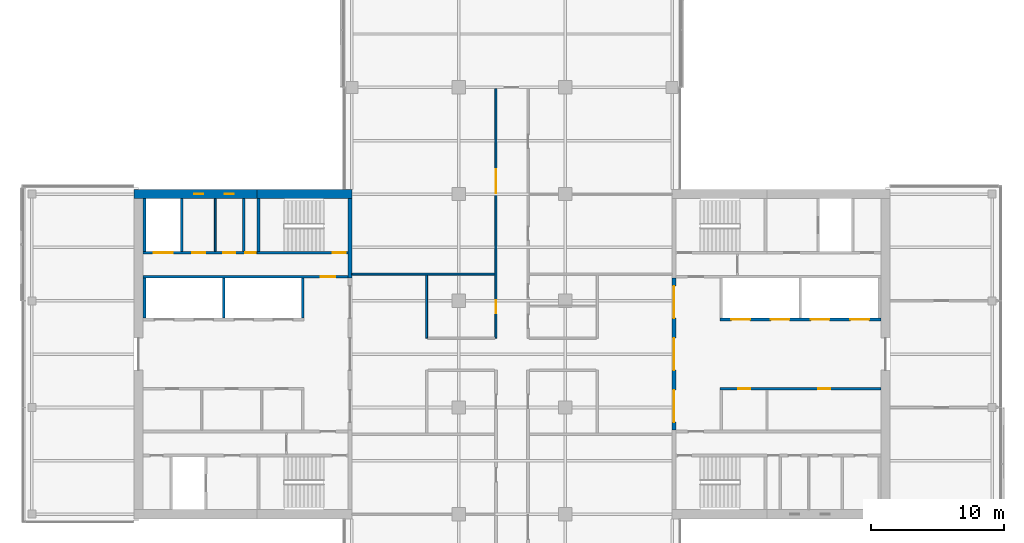
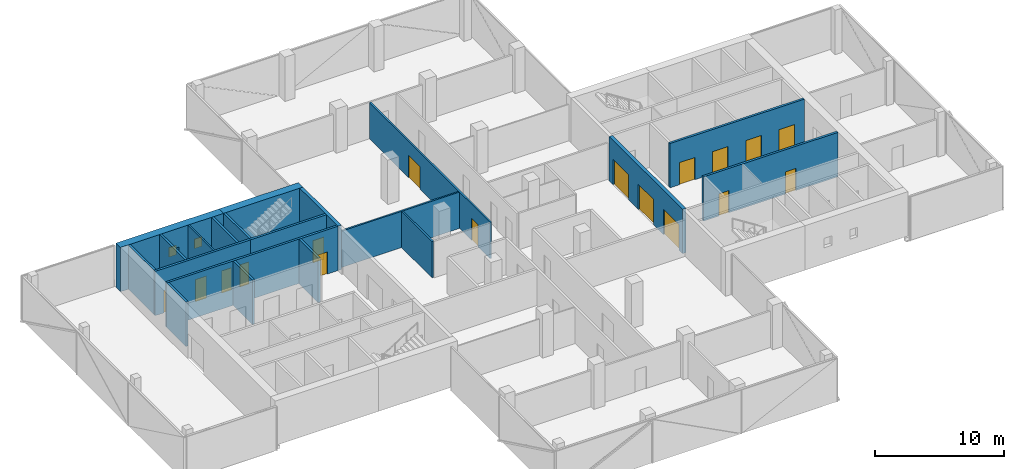
# One storey, part 15 of 22: 20 walls, 17 doors, 2 windows, 19 openings.
"""IFC4 building model written with IfcOpenShell, lengths in metres."""

from ifc_helpers import new_model, si_unit, direction, frame, frame_2d, origin, place, context, subcontext, project, spatial, rectangle, extrude, material, layer, layer_set, constituent, constituent_set, type_object, element, fill, save


model = new_model("IFC4")

# Units and contexts
model_context = context("Model", 3, precision=1e-05, world=origin(), true_north=direction((0.0, 1.0)))
body_context = subcontext(model_context, "Body", "Model", "MODEL_VIEW")
ifc_project = project(units=[si_unit("LENGTHUNIT", "METRE"), si_unit("AREAUNIT", "SQUARE_METRE"), si_unit("VOLUMEUNIT", "CUBIC_METRE"), si_unit("PLANEANGLEUNIT", "RADIAN"), si_unit("MASSUNIT", "GRAM", prefix="KILO")], contexts=[model_context])

# Site, building, storey
site_placement = place(None, origin())
site = spatial("IfcSite", under=ifc_project, at=site_placement, CompositionType="ELEMENT")
building_placement = place(site_placement, origin())
building = spatial("IfcBuilding", under=site, at=building_placement, Name="Crosswind Convention Tower", CompositionType="ELEMENT")
storey_placement = place(building_placement, frame((0.0, 0.0, 142.10009765625)))
storey = spatial("IfcBuildingStorey", under=building, at=storey_placement, Name="L29", CompositionType="ELEMENT", Elevation=142.10009765625)

# Wall
ifc_material_1 = material(Name="Concrete blockwork", Category="masonry")
ifc_layer_1 = layer(ifc_material_1, 0.199951171875)
ifc_layer_set_1 = layer_set([ifc_layer_1], Name="Blockwork partition wall 200")
wall_type_1 = type_object("IfcWallType", Name="Blockwork partition wall 200", PredefinedType="PARTITIONING", material=ifc_layer_set_1)
wall_1_placement = place(storey_placement, frame((104.89990234375, 111.64990234375, 0.0), z_axis=(0.0, 0.0, 1.0), x_axis=(0.0, -1.0, 0.0)))
element("IfcWall", 1, at=wall_1_placement, inside=storey, type_object=wall_type_1, Name="Wall MRSE W L29", PredefinedType="PARTITIONING", context=body_context, shape_type="SweptSolid", body=[
    extrude(rectangle(XDim=3.949951171875, YDim=0.199951171875, at=frame_2d((1.97509765625, 0.0))), origin(), (0.0, 0.0, 1.0), 4.199951171875),
])

# Wall, openings, doors
ifc_material_2 = material(Name="Concrete C50/60", Category="concrete")
ifc_layer_2 = layer(ifc_material_2, 0.300048828125)
ifc_layer_set_2 = layer_set([ifc_layer_2], Name="Concrete C50/60")
wall_type_2 = type_object("IfcWallType", Name="Concrete inner core wall 300", PredefinedType="SHEAR", material=ifc_layer_set_2)
wall_2_placement = place(storey_placement, frame((137.14990234375, 94.300048828125, 0.0), z_axis=(0.0, 0.0, 1.0), x_axis=(0.0, 1.0, 0.0)))
wall_2 = element("IfcWall", 2, at=wall_2_placement, inside=storey, type_object=wall_type_2, Name="Wall SCR E L29", PredefinedType="SHEAR", context=body_context, shape_type="SweptSolid", body=[
    extrude(rectangle(XDim=11.39990234375, YDim=0.300048828125, at=frame_2d((5.699951171875, 0.0))), origin(), (0.0, 0.0, 1.0), 4.199951171875),
])
opening_1_placement = place(wall_2_placement, frame((0.60009765625, 0.0, 0.0)))
opening_1 = element("IfcOpeningElement", 3, at=opening_1_placement, cuts=wall_2, Name="Opening D100", PredefinedType="OPENING", context=body_context, shape_type="SweptSolid", body=[
    extrude(rectangle(XDim=2.39990234375, YDim=2.39990234375, at=frame_2d((1.199951171875, 1.199951171875))), frame((0.0, 0.159912109375, 0.0), z_axis=(0.0, -1.0, 0.0), x_axis=(1.0, 0.0, 0.0)), (0.0, 0.0, 1.0), 0.320068359375),
])
opening_2_placement = place(wall_2_placement, frame((4.5, 0.0, 0.0)))
opening_2 = element("IfcOpeningElement", 4, at=opening_2_placement, cuts=wall_2, Name="Opening D100", PredefinedType="OPENING", context=body_context, shape_type="SweptSolid", body=[
    extrude(rectangle(XDim=2.39990234375, YDim=2.39990234375, at=frame_2d((1.199951171875, 1.199951171875))), frame((0.0, 0.159912109375, 0.0), z_axis=(0.0, -1.0, 0.0), x_axis=(1.0, 0.0, 0.0)), (0.0, 0.0, 1.0), 0.320068359375),
])
opening_3_placement = place(wall_2_placement, frame((8.39990234375, 0.0, 0.0)))
opening_3 = element("IfcOpeningElement", 5, at=opening_3_placement, cuts=wall_2, Name="Opening D100", PredefinedType="OPENING", context=body_context, shape_type="SweptSolid", body=[
    extrude(rectangle(XDim=2.39990234375, YDim=2.39990234375, at=frame_2d((1.199951171875, 1.199951171875))), frame((0.0, 0.159912109375, 0.0), z_axis=(0.0, -1.0, 0.0), x_axis=(1.0, 0.0, 0.0)), (0.0, 0.0, 1.0), 0.320068359375),
])
ifc_material_3 = material(Name="Steel fire door with glazed vision panels", Category="steel")
door_type_1 = type_object("IfcDoorType", Name="Fire-rated double door 2400x2400", OperationType="DOUBLE_DOOR_SINGLE_SWING", PredefinedType="DOOR", material=ifc_material_3)
door_1_placement = place(opening_1_placement, origin())
door_1 = element("IfcDoor", 6, at=door_1_placement, inside=storey, type_object=door_type_1, Name="Lobby door 1 L29", ObjectType="D100", OperationType="DOUBLE_DOOR_SINGLE_SWING", OverallHeight=2.39990234375, OverallWidth=2.39990234375, PredefinedType="DOOR", context=body_context, shape_type="SweptSolid", body=[
    extrude(rectangle(XDim=2.39990234375, YDim=2.39990234375, at=frame_2d((1.199951171875, 1.199951171875))), frame((0.0, 0.02490234375, 0.0), z_axis=(0.0, -1.0, 0.0), x_axis=(1.0, 0.0, 0.0)), (0.0, 0.0, 1.0), 0.050048828125),
])
fill(opening_1, door_1)
door_2_placement = place(opening_2_placement, origin())
door_2 = element("IfcDoor", 7, at=door_2_placement, inside=storey, type_object=door_type_1, Name="Lobby door 2 L29", ObjectType="D100", OperationType="DOUBLE_DOOR_SINGLE_SWING", OverallHeight=2.39990234375, OverallWidth=2.39990234375, PredefinedType="DOOR", context=body_context, shape_type="SweptSolid", body=[
    extrude(rectangle(XDim=2.39990234375, YDim=2.39990234375, at=frame_2d((1.199951171875, 1.199951171875))), frame((0.0, 0.02490234375, 0.0), z_axis=(0.0, -1.0, 0.0), x_axis=(1.0, 0.0, 0.0)), (0.0, 0.0, 1.0), 0.050048828125),
])
fill(opening_2, door_2)
door_3_placement = place(opening_3_placement, origin())
door_3 = element("IfcDoor", 8, at=door_3_placement, inside=storey, type_object=door_type_1, Name="Lobby door 3 L29", ObjectType="D100", OperationType="DOUBLE_DOOR_SINGLE_SWING", OverallHeight=2.39990234375, OverallWidth=2.39990234375, PredefinedType="DOOR", context=body_context, shape_type="SweptSolid", body=[
    extrude(rectangle(XDim=2.39990234375, YDim=2.39990234375, at=frame_2d((1.199951171875, 1.199951171875))), frame((0.0, 0.02490234375, 0.0), z_axis=(0.0, -1.0, 0.0), x_axis=(1.0, 0.0, 0.0)), (0.0, 0.0, 1.0), 0.050048828125),
])
fill(opening_3, door_3)

# Wall
wall_3_placement = place(storey_placement, frame((112.85009765625, 111.64990234375, 0.0), z_axis=(0.0, 0.0, 1.0), x_axis=(0.0, -1.0, 0.0)))
element("IfcWall", 9, at=wall_3_placement, inside=storey, type_object=wall_type_2, Name="Wall EM W L29", PredefinedType="SHEAR", context=body_context, shape_type="SweptSolid", body=[
    extrude(rectangle(XDim=5.949951171875, YDim=0.300048828125, at=frame_2d((2.97509765625, 0.0))), origin(), (0.0, 0.0, 1.0), 4.199951171875),
])

# Wall, openings, doors
ifc_layer_3 = layer(ifc_material_2, 0.199951171875)
ifc_layer_set_3 = layer_set([ifc_layer_3], Name="Concrete C50/60")
wall_type_3 = type_object("IfcWallType", Name="Concrete shaft and stair wall 200", PredefinedType="SHEAR", material=ifc_layer_set_3)
wall_4_placement = place(storey_placement, frame((140.60009765625, 102.60009765625, 0.0), z_axis=(0.0, 0.0, 1.0), x_axis=(1.0, 0.0, 0.0)))
wall_4 = element("IfcWall", 10, at=wall_4_placement, inside=storey, type_object=wall_type_3, Name="Wall RPFRONT E L29", PredefinedType="SHEAR", context=body_context, shape_type="SweptSolid", body=[
    extrude(rectangle(XDim=12.0498046875, YDim=0.199951171875, at=frame_2d((6.02490234375, 0.0))), origin(), (0.0, 0.0, 1.0), 4.199951171875),
])
opening_4_placement = place(wall_4_placement, frame((0.85009765625, 0.0, 0.0)))
opening_4 = element("IfcOpeningElement", 11, at=opening_4_placement, cuts=wall_4, Name="Opening LD2", PredefinedType="OPENING", context=body_context, shape_type="SweptSolid", body=[
    extrude(rectangle(XDim=1.39990234375, YDim=2.10009765625, at=frame_2d((0.699951171875, 1.050048828125))), frame((0.0, 0.10986328125, 0.0), z_axis=(0.0, -1.0, 0.0), x_axis=(1.0, 0.0, 0.0)), (0.0, 0.0, 1.0), 0.219970703125),
])
opening_5_placement = place(wall_4_placement, frame((3.800048828125, 0.0, 0.0)))
opening_5 = element("IfcOpeningElement", 12, at=opening_5_placement, cuts=wall_4, Name="Opening LD2", PredefinedType="OPENING", context=body_context, shape_type="SweptSolid", body=[
    extrude(rectangle(XDim=1.39990234375, YDim=2.10009765625, at=frame_2d((0.699951171875, 1.050048828125))), frame((0.0, 0.10986328125, 0.0), z_axis=(0.0, -1.0, 0.0), x_axis=(1.0, 0.0, 0.0)), (0.0, 0.0, 1.0), 0.219970703125),
])
opening_6_placement = place(wall_4_placement, frame((6.800048828125, 0.0, 0.0)))
opening_6 = element("IfcOpeningElement", 13, at=opening_6_placement, cuts=wall_4, Name="Opening LD2", PredefinedType="OPENING", context=body_context, shape_type="SweptSolid", body=[
    extrude(rectangle(XDim=1.39990234375, YDim=2.10009765625, at=frame_2d((0.699951171875, 1.050048828125))), frame((0.0, 0.10986328125, 0.0), z_axis=(0.0, -1.0, 0.0), x_axis=(1.0, 0.0, 0.0)), (0.0, 0.0, 1.0), 0.219970703125),
])
opening_7_placement = place(wall_4_placement, frame((9.77490234375, 0.0, 0.0)))
opening_7 = element("IfcOpeningElement", 14, at=opening_7_placement, cuts=wall_4, Name="Opening LD2", PredefinedType="OPENING", context=body_context, shape_type="SweptSolid", body=[
    extrude(rectangle(XDim=1.39990234375, YDim=2.10009765625, at=frame_2d((0.699951171875, 1.050048828125))), frame((0.0, 0.10986328125, 0.0), z_axis=(0.0, -1.0, 0.0), x_axis=(1.0, 0.0, 0.0)), (0.0, 0.0, 1.0), 0.219970703125),
])
ifc_material_4 = material(Name="Stainless steel", Category="steel")
door_type_2 = type_object("IfcDoorType", Name="Lift landing door 1400x2100", OperationType="DOUBLE_DOOR_SLIDING", PredefinedType="DOOR", material=ifc_material_4)
door_4_placement = place(opening_4_placement, origin())
door_4 = element("IfcDoor", 15, at=door_4_placement, inside=storey, type_object=door_type_2, Name="Landing door A1 L29", ObjectType="LD2", OperationType="DOUBLE_DOOR_SLIDING", OverallHeight=2.10009765625, OverallWidth=1.39990234375, PredefinedType="DOOR", context=body_context, shape_type="SweptSolid", body=[
    extrude(rectangle(XDim=1.39990234375, YDim=2.10009765625, at=frame_2d((0.699951171875, 1.050048828125))), frame((0.0, 0.02490234375, 0.0), z_axis=(0.0, -1.0, 0.0), x_axis=(1.0, 0.0, 0.0)), (0.0, 0.0, 1.0), 0.050048828125),
])
fill(opening_4, door_4)
door_5_placement = place(opening_5_placement, origin())
door_5 = element("IfcDoor", 16, at=door_5_placement, inside=storey, type_object=door_type_2, Name="Landing door A2 L29", ObjectType="LD2", OperationType="DOUBLE_DOOR_SLIDING", OverallHeight=2.10009765625, OverallWidth=1.39990234375, PredefinedType="DOOR", context=body_context, shape_type="SweptSolid", body=[
    extrude(rectangle(XDim=1.39990234375, YDim=2.10009765625, at=frame_2d((0.699951171875, 1.050048828125))), frame((0.0, 0.02490234375, 0.0), z_axis=(0.0, -1.0, 0.0), x_axis=(1.0, 0.0, 0.0)), (0.0, 0.0, 1.0), 0.050048828125),
])
fill(opening_5, door_5)
door_6_placement = place(opening_6_placement, origin())
door_6 = element("IfcDoor", 17, at=door_6_placement, inside=storey, type_object=door_type_2, Name="Landing door A3 L29", ObjectType="LD2", OperationType="DOUBLE_DOOR_SLIDING", OverallHeight=2.10009765625, OverallWidth=1.39990234375, PredefinedType="DOOR", context=body_context, shape_type="SweptSolid", body=[
    extrude(rectangle(XDim=1.39990234375, YDim=2.10009765625, at=frame_2d((0.699951171875, 1.050048828125))), frame((0.0, 0.02490234375, 0.0), z_axis=(0.0, -1.0, 0.0), x_axis=(1.0, 0.0, 0.0)), (0.0, 0.0, 1.0), 0.050048828125),
])
fill(opening_6, door_6)
door_7_placement = place(opening_7_placement, origin())
door_7 = element("IfcDoor", 18, at=door_7_placement, inside=storey, type_object=door_type_2, Name="Landing door A4 L29", ObjectType="LD2", OperationType="DOUBLE_DOOR_SLIDING", OverallHeight=2.10009765625, OverallWidth=1.39990234375, PredefinedType="DOOR", context=body_context, shape_type="SweptSolid", body=[
    extrude(rectangle(XDim=1.39990234375, YDim=2.10009765625, at=frame_2d((0.699951171875, 1.050048828125))), frame((0.0, 0.02490234375, 0.0), z_axis=(0.0, -1.0, 0.0), x_axis=(1.0, 0.0, 0.0)), (0.0, 0.0, 1.0), 0.050048828125),
])
fill(opening_7, door_7)

wall_5_placement = place(storey_placement, frame((140.60009765625, 97.39990234375, 0.0), z_axis=(0.0, 0.0, 1.0), x_axis=(1.0, 0.0, 0.0)))
wall_5 = element("IfcWall", 19, at=wall_5_placement, inside=storey, type_object=wall_type_3, Name="Wall RMFRONT E L29", PredefinedType="SHEAR", context=body_context, shape_type="SweptSolid", body=[
    extrude(rectangle(XDim=12.0498046875, YDim=0.199951171875, at=frame_2d((6.02490234375, 0.0))), origin(), (0.0, 0.0, 1.0), 4.199951171875),
])
opening_8_placement = place(wall_5_placement, frame((1.377685546875, 0.0, 0.0)))
opening_8 = element("IfcOpeningElement", 20, at=opening_8_placement, cuts=wall_5, Name="Opening D106", PredefinedType="OPENING", context=body_context, shape_type="SweptSolid", body=[
    extrude(rectangle(XDim=0.89990234375, YDim=2.10009765625, at=frame_2d((0.449951171875, 1.050048828125))), frame((0.0, 0.10986328125, 0.0), z_axis=(0.0, -1.0, 0.0), x_axis=(1.0, 0.0, 0.0)), (0.0, 0.0, 1.0), 0.219970703125),
])
opening_9_placement = place(wall_5_placement, frame((7.365234375, 0.0, 0.0)))
opening_9 = element("IfcOpeningElement", 21, at=opening_9_placement, cuts=wall_5, Name="Opening D106", PredefinedType="OPENING", context=body_context, shape_type="SweptSolid", body=[
    extrude(rectangle(XDim=0.89990234375, YDim=2.10009765625, at=frame_2d((0.449951171875, 1.050048828125))), frame((0.0, 0.10986328125, 0.0), z_axis=(0.0, -1.0, 0.0), x_axis=(1.0, 0.0, 0.0)), (0.0, 0.0, 1.0), 0.219970703125),
])
ifc_material_5 = material(Name="Timber door", Category="wood")
door_type_3 = type_object("IfcDoorType", Name="Single leaf door 900x2100", OperationType="NOTDEFINED", PredefinedType="DOOR", material=ifc_material_5)
door_8_placement = place(opening_8_placement, frame((0.89990234375, 0.0, 0.0), z_axis=(0.0, 0.0, 1.0), x_axis=(-1.0, 0.0, 0.0)))
door_8 = element("IfcDoor", 22, at=door_8_placement, inside=storey, type_object=door_type_3, Name="Door to copy and print room L29", ObjectType="D106", OperationType="SINGLE_SWING_LEFT", OverallHeight=2.10009765625, OverallWidth=0.89990234375, PredefinedType="DOOR", context=body_context, shape_type="SweptSolid", body=[
    extrude(rectangle(XDim=0.89990234375, YDim=2.10009765625, at=frame_2d((0.449951171875, 1.050048828125))), frame((0.0, 0.02490234375, 0.0), z_axis=(0.0, -1.0, 0.0), x_axis=(1.0, 0.0, 0.0)), (0.0, 0.0, 1.0), 0.050048828125),
])
fill(opening_8, door_8)
door_9_placement = place(opening_9_placement, frame((0.89990234375, 0.0, 0.0), z_axis=(0.0, 0.0, 1.0), x_axis=(-1.0, 0.0, 0.0)))
door_9 = element("IfcDoor", 23, at=door_9_placement, inside=storey, type_object=door_type_3, Name="Door to meeting room L29", ObjectType="D106", OperationType="SINGLE_SWING_LEFT", OverallHeight=2.10009765625, OverallWidth=0.89990234375, PredefinedType="DOOR", context=body_context, shape_type="SweptSolid", body=[
    extrude(rectangle(XDim=0.89990234375, YDim=2.10009765625, at=frame_2d((0.449951171875, 1.050048828125))), frame((0.0, 0.02490234375, 0.0), z_axis=(0.0, -1.0, 0.0), x_axis=(1.0, 0.0, 0.0)), (0.0, 0.0, 1.0), 0.050048828125),
])
fill(opening_9, door_9)

# Walls
for number, where, z_axis, x_axis, name in (
    (24, (109.300048828125, 105.699951171875, 0.0), (0.0, 0.0, 1.0), (0.0, -1.0, 0.0), "Wall RMEND W L29"),
    (25, (103.39990234375, 105.699951171875, 0.0), (0.0, 0.0, 1.0), (0.0, -1.0, 0.0), "Wall RMSEP W L29"),
    (26, (97.449951171875, 105.699951171875, 0.0), (0.0, 0.0, 1.0), (0.0, -1.0, 0.0), "Wall RMEAST W L29"),
):
    element("IfcWall", number, at=place(storey_placement, frame(where, z_axis=z_axis, x_axis=x_axis)), inside=storey, type_object=wall_type_3, Name=name, PredefinedType="SHEAR", context=body_context, shape_type="SweptSolid", body=[
        extrude(rectangle(XDim=3.0, YDim=0.199951171875, at=frame_2d((1.5, 0.0))), origin(), (0.0, 0.0, 1.0), 4.199951171875),
    ])

# Wall, opening, door
wall_6_placement = place(storey_placement, frame((112.699951171875, 105.800048828125, 0.0), z_axis=(0.0, 0.0, 1.0), x_axis=(-1.0, 0.0, 0.0)))
wall_6 = element("IfcWall", 27, at=wall_6_placement, inside=storey, type_object=wall_type_3, Name="Wall HM W L29", PredefinedType="SHEAR", context=body_context, shape_type="SweptSolid", body=[
    extrude(rectangle(XDim=15.349853515625, YDim=0.199951171875, at=frame_2d((7.6748046875, 0.0))), origin(), (0.0, 0.0, 1.0), 4.199951171875),
])
opening_10_placement = place(wall_6_placement, frame((0.949951171875, 0.0, 0.0)))
opening_10 = element("IfcOpeningElement", 28, at=opening_10_placement, cuts=wall_6, Name="Opening D104", PredefinedType="OPENING", context=body_context, shape_type="SweptSolid", body=[
    extrude(rectangle(XDim=1.10009765625, YDim=2.10009765625, at=frame_2d((0.550048828125, 1.050048828125))), frame((0.0, 0.10986328125, 0.0), z_axis=(0.0, -1.0, 0.0), x_axis=(1.0, 0.0, 0.0)), (0.0, 0.0, 1.0), 0.219970703125),
])
ifc_material_6 = material(Name="Steel fire door", Category="steel")
door_type_4 = type_object("IfcDoorType", Name="Fire-rated single door 1100x2100", OperationType="NOTDEFINED", PredefinedType="DOOR", material=ifc_material_6)
door_10_placement = place(opening_10_placement, origin())
door_10 = element("IfcDoor", 29, at=door_10_placement, inside=storey, type_object=door_type_4, Name="Corridor door L29", ObjectType="D104", OperationType="SINGLE_SWING_LEFT", OverallHeight=2.10009765625, OverallWidth=1.10009765625, PredefinedType="DOOR", context=body_context, shape_type="SweptSolid", body=[
    extrude(rectangle(XDim=1.10009765625, YDim=2.10009765625, at=frame_2d((0.550048828125, 1.050048828125))), frame((0.0, 0.02490234375, 0.0), z_axis=(0.0, -1.0, 0.0), x_axis=(1.0, 0.0, 0.0)), (0.0, 0.0, 1.0), 0.050048828125),
])
fill(opening_10, door_10)

# Walls
for number, where, z_axis, x_axis, name in (
    (30, (106.0, 111.64990234375, 0.0), (0.0, 0.0, 1.0), (0.0, -1.0, 0.0), "Wall MSE W L29"),
    (31, (100.25, 111.64990234375, 0.0), (0.0, 0.0, 1.0), (0.0, -1.0, 0.0), "Wall MFSW W L29"),
    (32, (97.449951171875, 111.64990234375, 0.0), (0.0, 0.0, 1.0), (0.0, -1.0, 0.0), "Wall MFSE W L29"),
):
    element("IfcWall", number, at=place(storey_placement, frame(where, z_axis=z_axis, x_axis=x_axis)), inside=storey, type_object=wall_type_3, Name=name, PredefinedType="SHEAR", context=body_context, shape_type="SweptSolid", body=[
        extrude(rectangle(XDim=3.949951171875, YDim=0.199951171875, at=frame_2d((1.97509765625, 0.0))), origin(), (0.0, 0.0, 1.0), 4.199951171875),
    ])

# Wall, opening, door
wall_7_placement = place(storey_placement, frame((112.699951171875, 107.60009765625, 0.0), z_axis=(0.0, 0.0, 1.0), x_axis=(-1.0, 0.0, 0.0)))
wall_7 = element("IfcWall", 33, at=wall_7_placement, inside=storey, type_object=wall_type_3, Name="Wall MCW W L29", PredefinedType="SHEAR", context=body_context, shape_type="SweptSolid", body=[
    extrude(rectangle(XDim=6.800048828125, YDim=0.199951171875, at=frame_2d((3.39990234375, 0.0))), origin(), (0.0, 0.0, 1.0), 4.199951171875),
])
opening_11_placement = place(wall_7_placement, frame((0.14990234375, 0.0, 0.0)))
opening_11 = element("IfcOpeningElement", 34, at=opening_11_placement, cuts=wall_7, Name="Opening D103", PredefinedType="OPENING", context=body_context, shape_type="SweptSolid", body=[
    extrude(rectangle(XDim=1.0, YDim=2.10009765625, at=frame_2d((0.5, 1.050048828125))), frame((0.0, 0.10986328125, 0.0), z_axis=(0.0, -1.0, 0.0), x_axis=(1.0, 0.0, 0.0)), (0.0, 0.0, 1.0), 0.219970703125),
])
door_type_5 = type_object("IfcDoorType", Name="Fire-rated single door 1000x2100", OperationType="NOTDEFINED", PredefinedType="DOOR", material=ifc_material_6)
door_11_placement = place(opening_11_placement, frame((1.0, 0.0, 0.0), z_axis=(0.0, 0.0, 1.0), x_axis=(-1.0, 0.0, 0.0)))
door_11 = element("IfcDoor", 35, at=door_11_placement, inside=storey, type_object=door_type_5, Name="Stair ST4 door L29", ObjectType="D103", OperationType="SINGLE_SWING_RIGHT", OverallHeight=2.10009765625, OverallWidth=1.0, PredefinedType="DOOR", context=body_context, shape_type="SweptSolid", body=[
    extrude(rectangle(XDim=1.0, YDim=2.10009765625, at=frame_2d((0.5, 1.050048828125))), frame((0.0, 0.02490234375, 0.0), z_axis=(0.0, -1.0, 0.0), x_axis=(1.0, 0.0, 0.0)), (0.0, 0.0, 1.0), 0.050048828125),
])
fill(opening_11, door_11)

# Wall, openings, doors
wall_8_placement = place(storey_placement, frame((105.89990234375, 107.60009765625, 0.0), z_axis=(0.0, 0.0, 1.0), x_axis=(-1.0, 0.0, 0.0)))
wall_8 = element("IfcWall", 36, at=wall_8_placement, inside=storey, type_object=wall_type_3, Name="Wall MCX W L29", PredefinedType="SHEAR", context=body_context, shape_type="SweptSolid", body=[
    extrude(rectangle(XDim=8.5498046875, YDim=0.199951171875, at=frame_2d((4.27490234375, 0.0))), origin(), (0.0, 0.0, 1.0), 4.199951171875),
])
opening_12_placement = place(wall_8_placement, frame((0.10009765625, 0.0, 0.0)))
opening_12 = element("IfcOpeningElement", 37, at=opening_12_placement, cuts=wall_8, Name="Opening D105", PredefinedType="OPENING", context=body_context, shape_type="SweptSolid", body=[
    extrude(rectangle(XDim=0.800048828125, YDim=2.10009765625, at=frame_2d((0.39990234375, 1.050048828125))), frame((0.0, 0.10986328125, 0.0), z_axis=(0.0, -1.0, 0.0), x_axis=(1.0, 0.0, 0.0)), (0.0, 0.0, 1.0), 0.219970703125),
])
opening_13_placement = place(wall_8_placement, frame((1.642333984375, 0.0, 0.0)))
opening_13 = element("IfcOpeningElement", 38, at=opening_13_placement, cuts=wall_8, Name="Opening D106", PredefinedType="OPENING", context=body_context, shape_type="SweptSolid", body=[
    extrude(rectangle(XDim=0.89990234375, YDim=2.10009765625, at=frame_2d((0.449951171875, 1.050048828125))), frame((0.0, 0.10986328125, 0.0), z_axis=(0.0, -1.0, 0.0), x_axis=(1.0, 0.0, 0.0)), (0.0, 0.0, 1.0), 0.219970703125),
])
opening_14_placement = place(wall_8_placement, frame((3.879638671875, 0.0, 0.0)))
opening_14 = element("IfcOpeningElement", 39, at=opening_14_placement, cuts=wall_8, Name="Opening D103", PredefinedType="OPENING", context=body_context, shape_type="SweptSolid", body=[
    extrude(rectangle(XDim=1.0, YDim=2.10009765625, at=frame_2d((0.5, 1.050048828125))), frame((0.0, 0.10986328125, 0.0), z_axis=(0.0, -1.0, 0.0), x_axis=(1.0, 0.0, 0.0)), (0.0, 0.0, 1.0), 0.219970703125),
])
opening_15_placement = place(wall_8_placement, frame((6.35009765625, 0.0, 0.0)))
opening_15 = element("IfcOpeningElement", 40, at=opening_15_placement, cuts=wall_8, Name="Opening LD2", PredefinedType="OPENING", context=body_context, shape_type="SweptSolid", body=[
    extrude(rectangle(XDim=1.39990234375, YDim=2.10009765625, at=frame_2d((0.699951171875, 1.050048828125))), frame((0.0, 0.10986328125, 0.0), z_axis=(0.0, -1.0, 0.0), x_axis=(1.0, 0.0, 0.0)), (0.0, 0.0, 1.0), 0.219970703125),
])
door_12_placement = place(opening_14_placement, frame((1.0, 0.0, 0.0), z_axis=(0.0, 0.0, 1.0), x_axis=(-1.0, 0.0, 0.0)))
door_12 = element("IfcDoor", 41, at=door_12_placement, inside=storey, type_object=door_type_5, Name="Door to accessible wc L29", ObjectType="D103", OperationType="SINGLE_SWING_LEFT", OverallHeight=2.10009765625, OverallWidth=1.0, PredefinedType="DOOR", context=body_context, shape_type="SweptSolid", body=[
    extrude(rectangle(XDim=1.0, YDim=2.10009765625, at=frame_2d((0.5, 1.050048828125))), frame((0.0, 0.02490234375, 0.0), z_axis=(0.0, -1.0, 0.0), x_axis=(1.0, 0.0, 0.0)), (0.0, 0.0, 1.0), 0.050048828125),
])
fill(opening_14, door_12)
door_13_placement = place(opening_15_placement, origin())
door_13 = element("IfcDoor", 42, at=door_13_placement, inside=storey, type_object=door_type_2, Name="Landing door SV2 L29", ObjectType="LD2", OperationType="DOUBLE_DOOR_SLIDING", OverallHeight=2.10009765625, OverallWidth=1.39990234375, PredefinedType="DOOR", context=body_context, shape_type="SweptSolid", body=[
    extrude(rectangle(XDim=1.39990234375, YDim=2.10009765625, at=frame_2d((0.699951171875, 1.050048828125))), frame((0.0, 0.02490234375, 0.0), z_axis=(0.0, -1.0, 0.0), x_axis=(1.0, 0.0, 0.0)), (0.0, 0.0, 1.0), 0.050048828125),
])
fill(opening_15, door_13)
door_type_6 = type_object("IfcDoorType", Name="Riser access door 800x2100", OperationType="NOTDEFINED", PredefinedType="DOOR", material=ifc_material_6)
door_14_placement = place(opening_12_placement, frame((0.800048828125, 0.0, 0.0), z_axis=(0.0, 0.0, 1.0), x_axis=(-1.0, 0.0, 0.0)))
door_14 = element("IfcDoor", 43, at=door_14_placement, inside=storey, type_object=door_type_6, Name="Riser door L29", ObjectType="D105", OperationType="SINGLE_SWING_LEFT", OverallHeight=2.10009765625, OverallWidth=0.800048828125, PredefinedType="DOOR", context=body_context, shape_type="SweptSolid", body=[
    extrude(rectangle(XDim=0.800048828125, YDim=2.10009765625, at=frame_2d((0.39990234375, 1.050048828125))), frame((0.0, 0.02490234375, 0.0), z_axis=(0.0, -1.0, 0.0), x_axis=(1.0, 0.0, 0.0)), (0.0, 0.0, 1.0), 0.050048828125),
])
fill(opening_12, door_14)
door_15_placement = place(opening_13_placement, frame((0.89990234375, 0.0, 0.0), z_axis=(0.0, 0.0, 1.0), x_axis=(-1.0, 0.0, 0.0)))
door_15 = element("IfcDoor", 44, at=door_15_placement, inside=storey, type_object=door_type_3, Name="Door to wc L29", ObjectType="D106", OperationType="SINGLE_SWING_LEFT", OverallHeight=2.10009765625, OverallWidth=0.89990234375, PredefinedType="DOOR", context=body_context, shape_type="SweptSolid", body=[
    extrude(rectangle(XDim=0.89990234375, YDim=2.10009765625, at=frame_2d((0.449951171875, 1.050048828125))), frame((0.0, 0.02490234375, 0.0), z_axis=(0.0, -1.0, 0.0), x_axis=(1.0, 0.0, 0.0)), (0.0, 0.0, 1.0), 0.050048828125),
])
fill(opening_13, door_15)

# Walls
ifc_material_7 = material(Name="Gypsum plasterboard partition", Category="gypsum")
ifc_layer_4 = layer(ifc_material_7, 0.125)
ifc_layer_set_4 = layer_set([ifc_layer_4], Name="Drywall partition wall 125")
wall_type_4 = type_object("IfcWallType", Name="Drywall partition wall 125", PredefinedType="PARTITIONING", material=ifc_layer_set_4)
wall_9_placement = place(storey_placement, frame((102.7529296875, 111.64990234375, 0.0), z_axis=(0.0, 0.0, 1.0), x_axis=(0.0, -1.0, 0.0)))
element("IfcWall", 45, at=wall_9_placement, inside=storey, type_object=wall_type_4, Name="Wall MWP1 W L29", PredefinedType="PARTITIONING", context=body_context, shape_type="SweptSolid", body=[
    extrude(rectangle(XDim=3.949951171875, YDim=0.125, at=frame_2d((1.97509765625, 0.0))), origin(), (0.0, 0.0, 1.0), 4.199951171875),
])
ifc_material_8 = material(Name="Fire-board partition with mineral wool", Category="gypsum")
ifc_layer_5 = layer(ifc_material_8, 0.14990234375)
ifc_layer_set_5 = layer_set([ifc_layer_5], Name="TENANCY WALL 150 TWO-HOUR BOARD")
wall_type_5 = type_object("IfcWallType", Name="TENANCY WALL 150 TWO-HOUR BOARD", PredefinedType="PARTITIONING", material=ifc_layer_set_5)
wall_10_placement = place(storey_placement, frame((118.60009765625, 101.199951171875, 0.0), z_axis=(0.0, 0.0, 1.0), x_axis=(0.0, 1.0, 0.0)))
element("IfcWall", 46, at=wall_10_placement, inside=storey, type_object=wall_type_5, Name="Tenancy wall WT41", PredefinedType="PARTITIONING", context=body_context, shape_type="SweptSolid", body=[
    extrude(rectangle(XDim=4.72509765625, YDim=0.14990234375, at=frame_2d((2.362548828125, 0.0))), origin(), (0.0, 0.0, 1.0), 3.436279296875),
])

# Wall, openings, doors
wall_11_placement = place(storey_placement, frame((123.800048828125, 101.199951171875, 0.0), z_axis=(0.0, 0.0, 1.0), x_axis=(0.0, 1.0, 0.0)))
wall_11 = element("IfcWall", 47, at=wall_11_placement, inside=storey, type_object=wall_type_5, Name="Tenancy wall WT41", PredefinedType="PARTITIONING", context=body_context, shape_type="SweptSolid", body=[
    extrude(rectangle(XDim=18.72509765625, YDim=0.14990234375, at=frame_2d((9.362548828125, 0.0))), origin(), (0.0, 0.0, 1.0), 3.436279296875),
])
opening_16_placement = place(wall_11_placement, frame((1.85009765625, 0.0, 0.0)))
opening_16 = element("IfcOpeningElement", 48, at=opening_16_placement, cuts=wall_11, Name="Opening L29-56", PredefinedType="OPENING", context=body_context, shape_type="SweptSolid", body=[
    extrude(rectangle(XDim=1.0, YDim=2.10009765625, at=frame_2d((0.5, 1.050048828125))), frame((0.0, 0.0849609375, 0.0), z_axis=(0.0, -1.0, 0.0), x_axis=(1.0, 0.0, 0.0)), (0.0, 0.0, 1.0), 0.169921875),
])
opening_17_placement = place(wall_11_placement, frame((10.85009765625, 0.0, 0.0)))
opening_17 = element("IfcOpeningElement", 49, at=opening_17_placement, cuts=wall_11, Name="Opening L29-57", PredefinedType="OPENING", context=body_context, shape_type="SweptSolid", body=[
    extrude(rectangle(XDim=1.800048828125, YDim=2.10009765625, at=frame_2d((0.89990234375, 1.050048828125))), frame((0.0, 0.0849609375, 0.0), z_axis=(0.0, -1.0, 0.0), x_axis=(1.0, 0.0, 0.0)), (0.0, 0.0, 1.0), 0.169921875),
])
ifc_material_9 = material(Name="Timber fire door", Category="wood")
door_type_7 = type_object("IfcDoorType", Name="TENANCY ENTRANCE DOOR 1000X2100 FD30S", OperationType="NOTDEFINED", PredefinedType="DOOR", material=ifc_material_9)
door_16_placement = place(opening_16_placement, origin())
door_16 = element("IfcDoor", 50, at=door_16_placement, inside=storey, type_object=door_type_7, Name="Door L29-56", ObjectType="D41", OperationType="SINGLE_SWING_LEFT", OverallHeight=2.10009765625, OverallWidth=1.0, PredefinedType="DOOR", context=body_context, shape_type="SweptSolid", body=[
    extrude(rectangle(XDim=1.0, YDim=2.10009765625, at=frame_2d((0.5, 1.050048828125))), frame((0.0, 0.02490234375, 0.0), z_axis=(0.0, -1.0, 0.0), x_axis=(1.0, 0.0, 0.0)), (0.0, 0.0, 1.0), 0.050048828125),
])
fill(opening_16, door_16)
door_type_8 = type_object("IfcDoorType", Name="TENANCY ENTRANCE DOUBLE DOOR 1800X2100 FD30S", OperationType="DOUBLE_DOOR_SINGLE_SWING", PredefinedType="DOOR", material=ifc_material_9)
door_17_placement = place(opening_17_placement, origin())
door_17 = element("IfcDoor", 51, at=door_17_placement, inside=storey, type_object=door_type_8, Name="Door L29-57", ObjectType="D42", OperationType="DOUBLE_DOOR_SINGLE_SWING", OverallHeight=2.10009765625, OverallWidth=1.800048828125, PredefinedType="DOOR", context=body_context, shape_type="SweptSolid", body=[
    extrude(rectangle(XDim=1.800048828125, YDim=2.10009765625, at=frame_2d((0.89990234375, 1.050048828125))), frame((0.0, 0.02490234375, 0.0), z_axis=(0.0, -1.0, 0.0), x_axis=(1.0, 0.0, 0.0)), (0.0, 0.0, 1.0), 0.050048828125),
])
fill(opening_17, door_17)

# Walls
wall_12_placement = place(storey_placement, frame((113.0, 106.0, 0.0), z_axis=(0.0, 0.0, 1.0), x_axis=(1.0, 0.0, 0.0)))
element("IfcWall", 52, at=wall_12_placement, inside=storey, type_object=wall_type_5, Name="Tenancy wall WT41", PredefinedType="PARTITIONING", context=body_context, shape_type="SweptSolid", body=[
    extrude(rectangle(XDim=10.72509765625, YDim=0.14990234375, at=frame_2d((5.362548828125, 0.0))), origin(), (0.0, 0.0, 1.0), 3.436279296875),
])
ifc_material_10 = material(Name="Concrete C60/75", Category="concrete")
ifc_constituent_1 = constituent(ifc_material_10, Name="Structure")
ifc_material_11 = material(Name="Terracotta rainscreen", Category="ceramic")
ifc_constituent_2 = constituent(ifc_material_11, Name="Facing")
ifc_constituent_set = constituent_set(constituents=[ifc_constituent_1, ifc_constituent_2], Name="Concrete C60/75, Terracotta rainscreen")
wall_type_6 = type_object("IfcWallType", Name="Terracotta rainscreen on concrete core wall 700", PredefinedType="SHEAR", material=ifc_constituent_set)
wall_13_placement = place(storey_placement, frame((113.0, 112.0, 0.0), z_axis=(0.0, 0.0, 1.0), x_axis=(-1.0, 0.0, 0.0)))
element("IfcWall", 53, at=wall_13_placement, inside=storey, type_object=wall_type_6, Name="Wall S1 W L29", PredefinedType="SHEAR", context=body_context, shape_type="SweptSolid", body=[
    extrude(rectangle(XDim=7.10009765625, YDim=0.699951171875, at=frame_2d((3.550048828125, 0.0))), origin(), (0.0, 0.0, 1.0), 4.199951171875),
])

# Wall, openings, windows
wall_14_placement = place(storey_placement, frame((105.89990234375, 112.0, 0.0), z_axis=(0.0, 0.0, 1.0), x_axis=(-1.0, 0.0, 0.0)))
wall_14 = element("IfcWall", 54, at=wall_14_placement, inside=storey, type_object=wall_type_6, Name="Wall S2 W L29", PredefinedType="SHEAR", context=body_context, shape_type="SweptSolid", body=[
    extrude(rectangle(XDim=9.25, YDim=0.699951171875, at=frame_2d((4.625, 0.0))), origin(), (0.0, 0.0, 1.0), 4.199951171875),
])
opening_18_placement = place(wall_14_placement, frame((1.7421875, 0.0, 1.5)))
opening_18 = element("IfcOpeningElement", 55, at=opening_18_placement, cuts=wall_14, Name="Opening W2", PredefinedType="OPENING", context=body_context, shape_type="SweptSolid", body=[
    extrude(rectangle(XDim=0.699951171875, YDim=0.89990234375, at=frame_2d((0.35009765625, 0.449951171875))), frame((0.0, 0.35986328125, 0.0), z_axis=(0.0, -1.0, 0.0), x_axis=(1.0, 0.0, 0.0)), (0.0, 0.0, 1.0), 0.719970703125),
])
opening_19_placement = place(wall_14_placement, frame((4.02978515625, 0.0, 1.5)))
opening_19 = element("IfcOpeningElement", 56, at=opening_19_placement, cuts=wall_14, Name="Opening W2", PredefinedType="OPENING", context=body_context, shape_type="SweptSolid", body=[
    extrude(rectangle(XDim=0.699951171875, YDim=0.89990234375, at=frame_2d((0.35009765625, 0.449951171875))), frame((0.0, 0.35986328125, 0.0), z_axis=(0.0, -1.0, 0.0), x_axis=(1.0, 0.0, 0.0)), (0.0, 0.0, 1.0), 0.719970703125),
])
ifc_material_12 = material(Name="Obscure glass in aluminium frame", Category="aluminium")
window_type = type_object("IfcWindowType", Name="WC window 700x900", PartitioningType="SINGLE_PANEL", PredefinedType="WINDOW", material=ifc_material_12)
window_1_placement = place(opening_18_placement, origin())
window_1 = element("IfcWindow", 57, at=window_1_placement, inside=storey, type_object=window_type, Name="WC window L29", ObjectType="W2", OverallHeight=0.89990234375, OverallWidth=0.699951171875, PartitioningType="SINGLE_PANEL", PredefinedType="WINDOW", context=body_context, shape_type="SweptSolid", body=[
    extrude(rectangle(XDim=0.699951171875, YDim=0.89990234375, at=frame_2d((0.35009765625, 0.449951171875))), frame((0.0, 0.030029296875, 0.0), z_axis=(0.0, -1.0, 0.0), x_axis=(1.0, 0.0, 0.0)), (0.0, 0.0, 1.0), 0.06005859375),
])
fill(opening_18, window_1)
window_2_placement = place(opening_19_placement, origin())
window_2 = element("IfcWindow", 58, at=window_2_placement, inside=storey, type_object=window_type, Name="WC window L29", ObjectType="W2", OverallHeight=0.89990234375, OverallWidth=0.699951171875, PartitioningType="SINGLE_PANEL", PredefinedType="WINDOW", context=body_context, shape_type="SweptSolid", body=[
    extrude(rectangle(XDim=0.699951171875, YDim=0.89990234375, at=frame_2d((0.35009765625, 0.449951171875))), frame((0.0, 0.030029296875, 0.0), z_axis=(0.0, -1.0, 0.0), x_axis=(1.0, 0.0, 0.0)), (0.0, 0.0, 1.0), 0.06005859375),
])
fill(opening_19, window_2)

save(model, "model.ifc")
